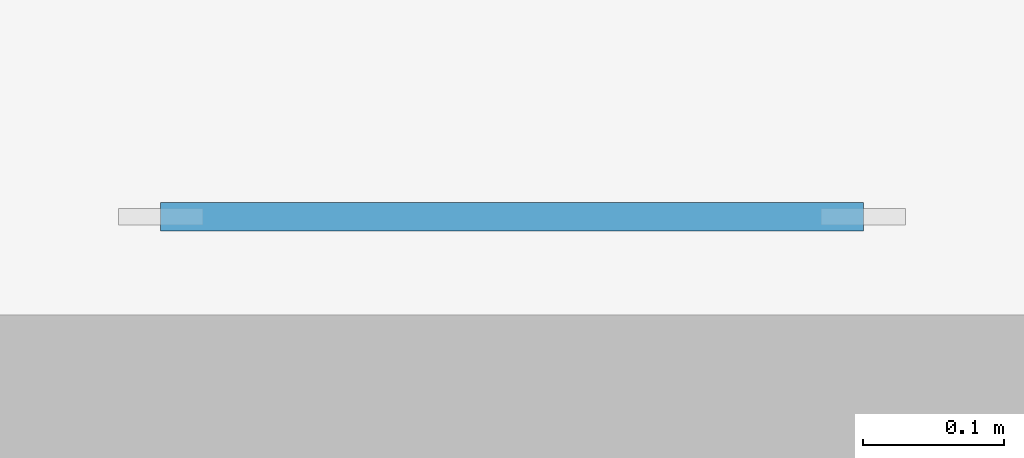
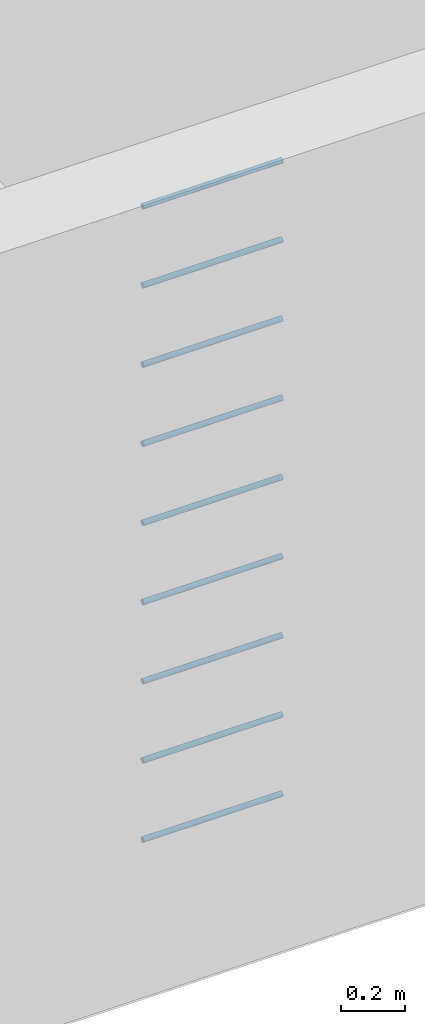
# One storey, part 41 of 122: 9 members.
"""IFC4 building model written with IfcOpenShell, lengths in metres."""

import ifcopenshell
import ifcopenshell.guid

model = None  # the IFC model being written
_history = None  # IfcOwnerHistory: only IFC2X3 demands one
_inside = {}  # id of a spatial element -> (the spatial element, [elements in it])
_under = {}  # id of a project, library or spatial element -> (it, [spatial elements below it])
_declared = {}  # id of a project -> (the project, [libraries it declares])
_typed = {}  # id of a type object -> (the type object, [elements of that type])
_made_of = {}  # id of a material, layer set ... -> (it, [elements and type objects made of it])


def new_model(schema):
    """Start an empty IFC model of exactly this schema.

    Asked for "IFC4X3", IfcOpenShell would pick the latest addendum, in which some entities
    have other attributes; the version numbers below select the first issue.
    IFC2X3 requires an IfcOwnerHistory on every rooted entity: one is made here for all.
    """
    global model, _history
    if schema == "IFC4X3":
        model = ifcopenshell.file(schema_version=(4, 3, 0, 0))
    else:
        model = ifcopenshell.file(schema=schema)
    _inside.clear()
    _under.clear()
    _declared.clear()
    _typed.clear()
    _made_of.clear()
    _history = None
    if model.schema == "IFC2X3":
        org = make("IfcOrganization", Name="unknown")
        user = make(
            "IfcPersonAndOrganization",
            ThePerson=make("IfcPerson", FamilyName="unknown"),
            TheOrganization=org,
        )
        app = make(
            "IfcApplication",
            ApplicationDeveloper=org,
            Version="unknown",
            ApplicationFullName="unknown",
            ApplicationIdentifier="unknown",
        )
        _history = make(
            "IfcOwnerHistory",
            OwningUser=user,
            OwningApplication=app,
            ChangeAction="ADDED",
            CreationDate=0,
        )
    return model


def make(cls, **values):
    """One entity of the class cls with the attributes given. An attribute that is None is left unset."""
    return model.create_entity(
        cls, **{name: value for name, value in values.items() if value is not None}
    )


def rooted(cls, **values):
    """An entity with a GlobalId (a new one), such as an element, a storey or a relation."""
    return make(cls, GlobalId=ifcopenshell.guid.new(), OwnerHistory=_history, **values)


def si_unit(unit_type, name, prefix=None):
    """IfcSIUnit, for example si_unit("LENGTHUNIT", "METRE", prefix="MILLI")."""
    return make("IfcSIUnit", UnitType=unit_type, Prefix=prefix, Name=name)


def assignment(units):
    """IfcUnitAssignment: the units of a project."""
    return None if units is None else make("IfcUnitAssignment", Units=units)


def point(xyz):
    """IfcCartesianPoint."""
    return None if xyz is None else make("IfcCartesianPoint", Coordinates=xyz)


def direction(xyz):
    """IfcDirection."""
    return None if xyz is None else make("IfcDirection", DirectionRatios=xyz)


def frame(location, z_axis=None, x_axis=None):
    """IfcAxis2Placement3D, a coordinate frame: its origin and axes. An axis left out is left unset."""
    return make(
        "IfcAxis2Placement3D",
        Location=point(location),
        Axis=direction(z_axis),
        RefDirection=direction(x_axis),
    )


def frame_2d(location, x_axis=None):
    """IfcAxis2Placement2D, a coordinate frame in the plane: its origin and x axis."""
    return make(
        "IfcAxis2Placement2D", Location=point(location), RefDirection=direction(x_axis)
    )


def origin():
    """The frame at (0, 0, 0) with its axes left unset."""
    return frame((0.0, 0.0, 0.0))


def origin_2d():
    """The frame at (0, 0) in the plane with its x axis left unset."""
    return frame_2d((0.0, 0.0))


def place(relative_to, where):
    """IfcLocalPlacement: puts the frame where relative to a parent placement (None: the world)."""
    return make(
        "IfcLocalPlacement", PlacementRelTo=relative_to, RelativePlacement=where
    )


def context(
    kind, dimensions, precision=None, world=None, true_north=None, identifier=None
):
    """IfcGeometricRepresentationContext, for example the 3D "Model" context."""
    return make(
        "IfcGeometricRepresentationContext",
        ContextIdentifier=identifier,
        ContextType=kind,
        CoordinateSpaceDimension=dimensions,
        Precision=precision,
        WorldCoordinateSystem=world,
        TrueNorth=true_north,
    )


def subcontext(parent, identifier, kind, view, scale=None):
    """IfcGeometricRepresentationSubContext, for example "Body" below "Model"."""
    return make(
        "IfcGeometricRepresentationSubContext",
        ContextIdentifier=identifier,
        ContextType=kind,
        ParentContext=parent,
        TargetScale=scale,
        TargetView=view,
    )


def project(units=None, contexts=None):
    """IfcProject with its units and contexts."""
    return rooted(
        "IfcProject",
        Name="project",
        RepresentationContexts=contexts,
        UnitsInContext=assignment(units),
    )


def spatial(cls, under=None, at=None, **own):
    """A site, building, storey or space (cls), placed at a placement, below another one or the project."""
    s = rooted(cls, ObjectPlacement=at, **own)
    if under is not None:
        _under.setdefault(under.id(), (under, []))[1].append(s)
    return s


def profile(cls, at=None, kind="AREA", **sizes):
    """A parametric profile (cls). Its sizes go by their IFC names, for example OverallWidth=200.0."""
    return make(cls, ProfileType=kind, Position=at, **sizes)


def circle(**sizes):
    """IfcCircleProfileDef."""
    return profile("IfcCircleProfileDef", **sizes)


def extrude(swept, where, along, depth):
    """IfcExtrudedAreaSolid: the profile swept, set in the frame where, extruded along a direction by depth."""
    return make(
        "IfcExtrudedAreaSolid",
        SweptArea=swept,
        Position=where,
        ExtrudedDirection=direction(along),
        Depth=depth,
    )


def shape(context_of_items, identifier, shape_type, items):
    """IfcShapeRepresentation: the items that make up one representation, for example the "Body"."""
    return make(
        "IfcShapeRepresentation",
        ContextOfItems=context_of_items,
        RepresentationIdentifier=identifier,
        RepresentationType=shape_type,
        Items=items,
    )


def material(Name=None, Category=None):
    """IfcMaterial."""
    return make("IfcMaterial", Name=Name, Category=Category)


def material_profile(
    of_material, cross_section, Name=None, Category=None, Priority=None
):
    """IfcMaterialProfile: a cross section and its material."""
    return make(
        "IfcMaterialProfile",
        Name=Name,
        Material=of_material,
        Profile=cross_section,
        Priority=Priority,
        Category=Category,
    )


def profile_set(profiles, Name=None, composite=None):
    """IfcMaterialProfileSet."""
    return make(
        "IfcMaterialProfileSet",
        Name=Name,
        MaterialProfiles=profiles,
        CompositeProfile=composite,
    )


def made_of(thing, what):
    """Note that an element or type object is made of a material, layer set ...; save() writes the relation."""
    if what is not None:
        _made_of.setdefault(what.id(), (what, []))[1].append(thing)
    return thing


def type_object(cls, material=None, **own):
    """A type object (cls), such as IfcWallType, which elements share."""
    return made_of(rooted(cls, **own), material)


def element(
    cls,
    number,
    at=None,
    inside=None,
    cuts=None,
    type_object=None,
    material=None,
    context=None,
    identifier="Body",
    shape_type=None,
    held_by="IfcProductDefinitionShape",
    body=None,
    shapes=None,
    **own,
):
    """One element of the class cls, such as IfcWall. Its Tag is "e" and its number.

    at: its placement. inside: the storey or other place that contains it. cuts: it is an
    opening in that element (IfcRelVoidsElement). A single representation is given by context,
    identifier, shape_type and body (its items); several are given by shapes. held_by: the class
    of the entity that holds the representations. save() writes the other relations.
    """
    e = rooted(cls, Tag="e%d" % number, ObjectPlacement=at, **own)
    if body is not None:
        shapes = [shape(context, identifier, shape_type, body)]
    if shapes is not None:
        e.Representation = make(held_by, Representations=shapes)
    if inside is not None:
        _inside.setdefault(inside.id(), (inside, []))[1].append(e)
    if cuts is not None:
        rooted(
            "IfcRelVoidsElement", RelatingBuildingElement=cuts, RelatedOpeningElement=e
        )
    if type_object is not None:
        _typed.setdefault(type_object.id(), (type_object, []))[1].append(e)
    return made_of(e, material)


def aggregate(whole, parts):
    """IfcRelAggregates: a whole, such as a stair, and the parts it consists of."""
    return rooted("IfcRelAggregates", RelatingObject=whole, RelatedObjects=parts)


def save(model, path):
    """Write the relations noted so far, then the file.

    IfcRelAggregates (storeys below a building ...), IfcRelContainedInSpatialStructure (elements
    in a storey), IfcRelDefinesByType, IfcRelAssociatesMaterial and IfcRelDeclares: one each for
    every whole, place, type object, material and project.
    """
    for whole, parts in _under.values():
        aggregate(whole, parts)
    for where, things in _inside.values():
        rooted(
            "IfcRelContainedInSpatialStructure",
            RelatedElements=things,
            RelatingStructure=where,
        )
    for kind, things in _typed.values():
        rooted("IfcRelDefinesByType", RelatedObjects=things, RelatingType=kind)
    for what, things in _made_of.values():
        rooted("IfcRelAssociatesMaterial", RelatedObjects=things, RelatingMaterial=what)
    for by, libraries in _declared.values():
        rooted("IfcRelDeclares", RelatingContext=by, RelatedDefinitions=libraries)
    model.write(path)


model = new_model("IFC4")

# Units and contexts
model_context = context("Model", 3, precision=1e-05, world=origin(), true_north=direction((0.0, 1.0)))
body_context = subcontext(model_context, "Body", "Model", "MODEL_VIEW")
ifc_project = project(units=[si_unit("LENGTHUNIT", "METRE"), si_unit("AREAUNIT", "SQUARE_METRE"), si_unit("VOLUMEUNIT", "CUBIC_METRE"), si_unit("PLANEANGLEUNIT", "RADIAN"), si_unit("MASSUNIT", "GRAM", prefix="KILO")], contexts=[model_context])

# Site, building, storey
site_placement = place(None, origin())
site = spatial("IfcSite", under=ifc_project, at=site_placement, CompositionType="ELEMENT")
building_placement = place(site_placement, origin())
building = spatial("IfcBuilding", under=site, at=building_placement, Name="Ridgestep Commons", CompositionType="ELEMENT")
storey_placement = place(building_placement, frame((0.0, 0.0, 3.0)))
storey = spatial("IfcBuildingStorey", under=building, at=storey_placement, Name="L01", CompositionType="ELEMENT", Elevation=3.0)

# Members
ifc_material = material(Name="Structural steel S355JR", Category="steel")
ifc_material_profile = material_profile(ifc_material, circle(Radius=0.010009765625, at=origin_2d()), Name="Ladder rung 20")
ifc_profile_set = profile_set([ifc_material_profile], Name="Structural steel S355JR")
member_type = type_object("IfcMemberType", Name="Ladder rung 20", PredefinedType="USERDEFINED", material=ifc_profile_set)
for number, where, z_axis, x_axis, name in (
    (1, (157.300048828125, 37.820068359375, 0.300048828125), (1.0, 0.0, 0.0), (0.0, 1.0, 0.0), "Fixed ladder rung"),
    (2, (157.300048828125, 37.820068359375, 0.60009765625), (1.0, 0.0, 0.0), (0.0, 1.0, 0.0), "Fixed ladder rung"),
    (3, (157.300048828125, 37.820068359375, 0.89990234375), (1.0, 0.0, 0.0), (0.0, 1.0, 0.0), "Fixed ladder rung"),
    (4, (157.300048828125, 37.820068359375, 1.199951171875), (1.0, 0.0, 0.0), (0.0, 1.0, 0.0), "Fixed ladder rung"),
    (5, (157.300048828125, 37.820068359375, 1.5), (1.0, 0.0, 0.0), (0.0, 1.0, 0.0), "Fixed ladder rung"),
    (6, (157.300048828125, 37.820068359375, 1.800048828125), (1.0, 0.0, 0.0), (0.0, 1.0, 0.0), "Fixed ladder rung"),
    (7, (157.300048828125, 37.820068359375, 2.10009765625), (1.0, 0.0, 0.0), (0.0, 1.0, 0.0), "Fixed ladder rung"),
    (8, (157.300048828125, 37.820068359375, 2.39990234375), (1.0, 0.0, 0.0), (0.0, 1.0, 0.0), "Fixed ladder rung"),
    (9, (157.300048828125, 37.820068359375, 2.699951171875), (1.0, 0.0, 0.0), (0.0, 1.0, 0.0), "Fixed ladder rung"),
):
    element("IfcMember", number, at=place(storey_placement, frame(where, z_axis=z_axis, x_axis=x_axis)), inside=storey, type_object=member_type, Name=name, ObjectType="Ladder rung", PredefinedType="USERDEFINED", context=body_context, shape_type="SweptSolid", body=[
        extrude(circle(Radius=0.010009765625, at=origin_2d()), origin(), (0.0, 0.0, 1.0), 0.5),
    ])

save(model, "model.ifc")
